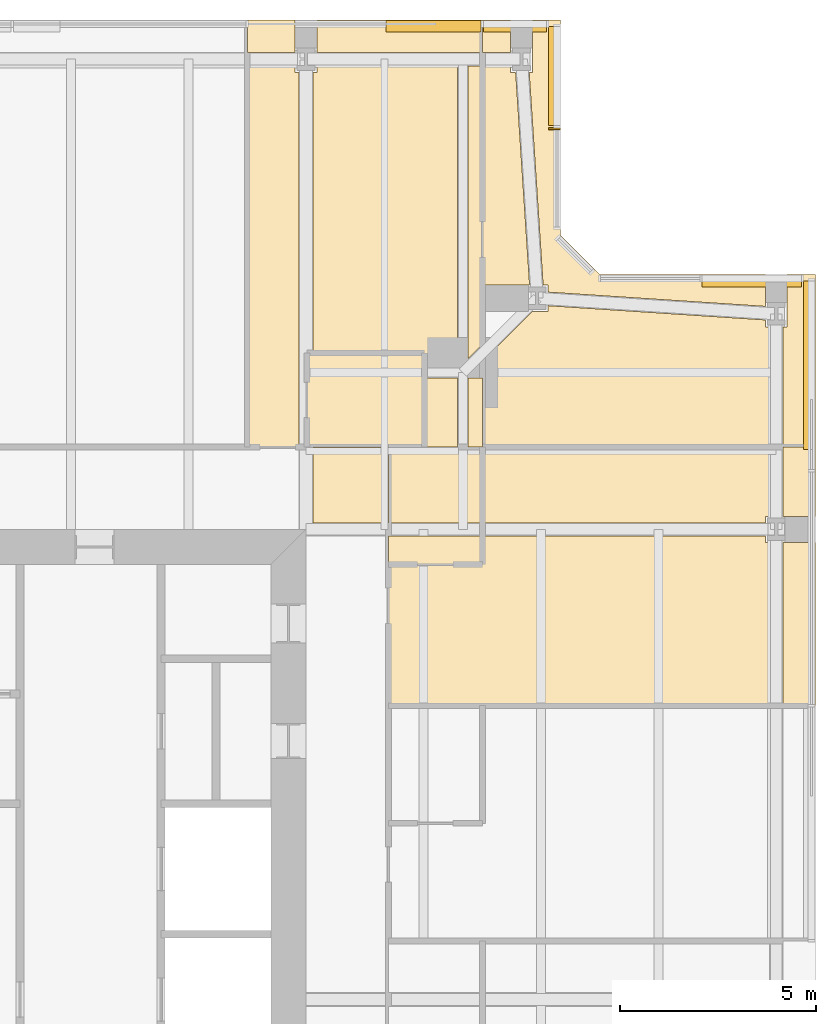
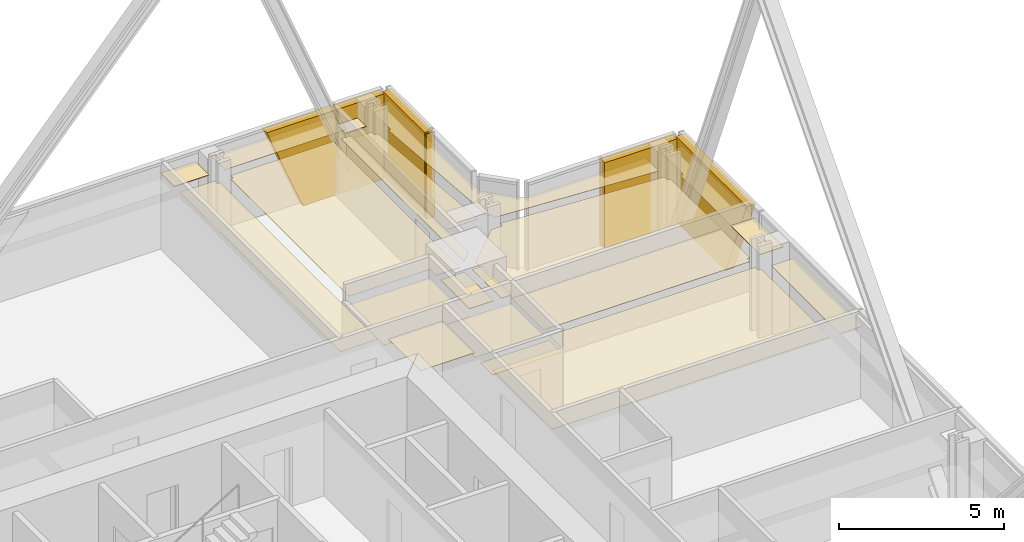
# One storey, part 20 of 20: 26 coverings.
"""IFC4 building model written with IfcOpenShell, lengths in metres."""

import ifcopenshell
import ifcopenshell.guid

model = None  # the IFC model being written
_history = None  # IfcOwnerHistory: only IFC2X3 demands one
_inside = {}  # id of a spatial element -> (the spatial element, [elements in it])
_under = {}  # id of a project, library or spatial element -> (it, [spatial elements below it])
_declared = {}  # id of a project -> (the project, [libraries it declares])
_typed = {}  # id of a type object -> (the type object, [elements of that type])
_made_of = {}  # id of a material, layer set ... -> (it, [elements and type objects made of it])


def new_model(schema):
    """Start an empty IFC model of exactly this schema.

    Asked for "IFC4X3", IfcOpenShell would pick the latest addendum, in which some entities
    have other attributes; the version numbers below select the first issue.
    IFC2X3 requires an IfcOwnerHistory on every rooted entity: one is made here for all.
    """
    global model, _history
    if schema == "IFC4X3":
        model = ifcopenshell.file(schema_version=(4, 3, 0, 0))
    else:
        model = ifcopenshell.file(schema=schema)
    _inside.clear()
    _under.clear()
    _declared.clear()
    _typed.clear()
    _made_of.clear()
    _history = None
    if model.schema == "IFC2X3":
        org = make("IfcOrganization", Name="unknown")
        user = make(
            "IfcPersonAndOrganization",
            ThePerson=make("IfcPerson", FamilyName="unknown"),
            TheOrganization=org,
        )
        app = make(
            "IfcApplication",
            ApplicationDeveloper=org,
            Version="unknown",
            ApplicationFullName="unknown",
            ApplicationIdentifier="unknown",
        )
        _history = make(
            "IfcOwnerHistory",
            OwningUser=user,
            OwningApplication=app,
            ChangeAction="ADDED",
            CreationDate=0,
        )
    return model


def make(cls, **values):
    """One entity of the class cls with the attributes given. An attribute that is None is left unset."""
    return model.create_entity(
        cls, **{name: value for name, value in values.items() if value is not None}
    )


def rooted(cls, **values):
    """An entity with a GlobalId (a new one), such as an element, a storey or a relation."""
    return make(cls, GlobalId=ifcopenshell.guid.new(), OwnerHistory=_history, **values)


def si_unit(unit_type, name, prefix=None):
    """IfcSIUnit, for example si_unit("LENGTHUNIT", "METRE", prefix="MILLI")."""
    return make("IfcSIUnit", UnitType=unit_type, Prefix=prefix, Name=name)


def assignment(units):
    """IfcUnitAssignment: the units of a project."""
    return None if units is None else make("IfcUnitAssignment", Units=units)


def point(xyz):
    """IfcCartesianPoint."""
    return None if xyz is None else make("IfcCartesianPoint", Coordinates=xyz)


def direction(xyz):
    """IfcDirection."""
    return None if xyz is None else make("IfcDirection", DirectionRatios=xyz)


def frame(location, z_axis=None, x_axis=None):
    """IfcAxis2Placement3D, a coordinate frame: its origin and axes. An axis left out is left unset."""
    return make(
        "IfcAxis2Placement3D",
        Location=point(location),
        Axis=direction(z_axis),
        RefDirection=direction(x_axis),
    )


def origin():
    """The frame at (0, 0, 0) with its axes left unset."""
    return frame((0.0, 0.0, 0.0))


def place(relative_to, where):
    """IfcLocalPlacement: puts the frame where relative to a parent placement (None: the world)."""
    return make(
        "IfcLocalPlacement", PlacementRelTo=relative_to, RelativePlacement=where
    )


def context(
    kind, dimensions, precision=None, world=None, true_north=None, identifier=None
):
    """IfcGeometricRepresentationContext, for example the 3D "Model" context."""
    return make(
        "IfcGeometricRepresentationContext",
        ContextIdentifier=identifier,
        ContextType=kind,
        CoordinateSpaceDimension=dimensions,
        Precision=precision,
        WorldCoordinateSystem=world,
        TrueNorth=true_north,
    )


def subcontext(parent, identifier, kind, view, scale=None):
    """IfcGeometricRepresentationSubContext, for example "Body" below "Model"."""
    return make(
        "IfcGeometricRepresentationSubContext",
        ContextIdentifier=identifier,
        ContextType=kind,
        ParentContext=parent,
        TargetScale=scale,
        TargetView=view,
    )


def project(units=None, contexts=None):
    """IfcProject with its units and contexts."""
    return rooted(
        "IfcProject",
        Name="project",
        RepresentationContexts=contexts,
        UnitsInContext=assignment(units),
    )


def spatial(cls, under=None, at=None, **own):
    """A site, building, storey or space (cls), placed at a placement, below another one or the project."""
    s = rooted(cls, ObjectPlacement=at, **own)
    if under is not None:
        _under.setdefault(under.id(), (under, []))[1].append(s)
    return s


def polyline(points):
    """IfcPolyline through the points."""
    return make("IfcPolyline", Points=[point(p) for p in points])


def outline(outer, holes=None, kind="AREA"):
    """IfcArbitraryClosedProfileDef: a profile drawn as a closed curve; with holes, ...WithVoids."""
    if holes is None:
        return make("IfcArbitraryClosedProfileDef", ProfileType=kind, OuterCurve=outer)
    return make(
        "IfcArbitraryProfileDefWithVoids",
        ProfileType=kind,
        OuterCurve=outer,
        InnerCurves=holes,
    )


def extrude(swept, where, along, depth):
    """IfcExtrudedAreaSolid: the profile swept, set in the frame where, extruded along a direction by depth."""
    return make(
        "IfcExtrudedAreaSolid",
        SweptArea=swept,
        Position=where,
        ExtrudedDirection=direction(along),
        Depth=depth,
    )


def shape(context_of_items, identifier, shape_type, items):
    """IfcShapeRepresentation: the items that make up one representation, for example the "Body"."""
    return make(
        "IfcShapeRepresentation",
        ContextOfItems=context_of_items,
        RepresentationIdentifier=identifier,
        RepresentationType=shape_type,
        Items=items,
    )


def material(Name=None, Category=None):
    """IfcMaterial."""
    return make("IfcMaterial", Name=Name, Category=Category)


def layer(
    of_material, thickness, ventilated=None, Name=None, Category=None, Priority=None
):
    """IfcMaterialLayer: one layer of a wall or slab, of a material (None: an air gap)."""
    return make(
        "IfcMaterialLayer",
        Material=of_material,
        LayerThickness=thickness,
        IsVentilated=ventilated,
        Name=Name,
        Category=Category,
        Priority=Priority,
    )


def layer_set(layers, Name=None):
    """IfcMaterialLayerSet."""
    return make("IfcMaterialLayerSet", MaterialLayers=layers, LayerSetName=Name)


def made_of(thing, what):
    """Note that an element or type object is made of a material, layer set ...; save() writes the relation."""
    if what is not None:
        _made_of.setdefault(what.id(), (what, []))[1].append(thing)
    return thing


def type_object(cls, material=None, **own):
    """A type object (cls), such as IfcWallType, which elements share."""
    return made_of(rooted(cls, **own), material)


def element(
    cls,
    number,
    at=None,
    inside=None,
    cuts=None,
    type_object=None,
    material=None,
    context=None,
    identifier="Body",
    shape_type=None,
    held_by="IfcProductDefinitionShape",
    body=None,
    shapes=None,
    **own,
):
    """One element of the class cls, such as IfcWall. Its Tag is "e" and its number.

    at: its placement. inside: the storey or other place that contains it. cuts: it is an
    opening in that element (IfcRelVoidsElement). A single representation is given by context,
    identifier, shape_type and body (its items); several are given by shapes. held_by: the class
    of the entity that holds the representations. save() writes the other relations.
    """
    e = rooted(cls, Tag="e%d" % number, ObjectPlacement=at, **own)
    if body is not None:
        shapes = [shape(context, identifier, shape_type, body)]
    if shapes is not None:
        e.Representation = make(held_by, Representations=shapes)
    if inside is not None:
        _inside.setdefault(inside.id(), (inside, []))[1].append(e)
    if cuts is not None:
        rooted(
            "IfcRelVoidsElement", RelatingBuildingElement=cuts, RelatedOpeningElement=e
        )
    if type_object is not None:
        _typed.setdefault(type_object.id(), (type_object, []))[1].append(e)
    return made_of(e, material)


def aggregate(whole, parts):
    """IfcRelAggregates: a whole, such as a stair, and the parts it consists of."""
    return rooted("IfcRelAggregates", RelatingObject=whole, RelatedObjects=parts)


def save(model, path):
    """Write the relations noted so far, then the file.

    IfcRelAggregates (storeys below a building ...), IfcRelContainedInSpatialStructure (elements
    in a storey), IfcRelDefinesByType, IfcRelAssociatesMaterial and IfcRelDeclares: one each for
    every whole, place, type object, material and project.
    """
    for whole, parts in _under.values():
        aggregate(whole, parts)
    for where, things in _inside.values():
        rooted(
            "IfcRelContainedInSpatialStructure",
            RelatedElements=things,
            RelatingStructure=where,
        )
    for kind, things in _typed.values():
        rooted("IfcRelDefinesByType", RelatedObjects=things, RelatingType=kind)
    for what, things in _made_of.values():
        rooted("IfcRelAssociatesMaterial", RelatedObjects=things, RelatingMaterial=what)
    for by, libraries in _declared.values():
        rooted("IfcRelDeclares", RelatingContext=by, RelatedDefinitions=libraries)
    model.write(path)


model = new_model("IFC4")

# Units and contexts
model_context = context("Model", 3, precision=1e-05, world=origin(), true_north=direction((0.0, 1.0)))
body_context = subcontext(model_context, "Body", "Model", "MODEL_VIEW")
ifc_project = project(units=[si_unit("LENGTHUNIT", "METRE"), si_unit("AREAUNIT", "SQUARE_METRE"), si_unit("VOLUMEUNIT", "CUBIC_METRE"), si_unit("PLANEANGLEUNIT", "RADIAN"), si_unit("MASSUNIT", "GRAM", prefix="KILO")], contexts=[model_context])

# Site, building, storey
site_placement = place(None, origin())
site = spatial("IfcSite", under=ifc_project, at=site_placement, CompositionType="ELEMENT")
building_placement = place(site_placement, origin())
building = spatial("IfcBuilding", under=site, at=building_placement, Name="Fenwick Lantern Interchange", CompositionType="ELEMENT")
storey_placement = place(building_placement, frame((0.0, 0.0, 256.0)))
storey = spatial("IfcBuildingStorey", under=building, at=storey_placement, Name="L60", CompositionType="ELEMENT", Elevation=256.0)

# Coverings
ifc_material_1 = material(Name="Granite cladding, warm grey flamed finish, on aluminium carrier frame", Category="masonry")
ifc_layer_1 = layer(ifc_material_1, 0.300048828125)
ifc_layer_set_1 = layer_set([ifc_layer_1], Name="BRACE CASING PANEL 300")
covering_type_1 = type_object("IfcCoveringType", Name="BRACE CASING PANEL 300", PredefinedType="CLADDING", material=ifc_layer_set_1)
covering_1_placement = place(storey_placement, frame((49.89990234375, 6.60009765625, 0.0), z_axis=(0.0, 0.0, 1.0), x_axis=(0.0, 1.0, 0.0)))
element("IfcCovering", 1, at=covering_1_placement, inside=storey, type_object=covering_type_1, Name="Brace casing 05 bay 06a", PredefinedType="CLADDING", context=body_context, shape_type="SweptSolid", body=[
    extrude(outline(polyline([(33.71337890625, 0.0), (36.739990234375, 0.0), (36.739990234375, 3.14990234375), (32.439453125, 3.14990234375), (33.71337890625, 0.0)])), frame((0.0, 0.2099609375, 0.0), z_axis=(0.0, -1.0, 0.0), x_axis=(1.0, 0.0, 0.0)), (0.0, 0.0, 1.0), 0.300048828125),
])
covering_2_placement = place(storey_placement, frame((49.89990234375, 43.39990234375, 0.0), z_axis=(0.0, 0.0, 1.0), x_axis=(-1.0, 0.0, 0.0)))
element("IfcCovering", 2, at=covering_2_placement, inside=storey, type_object=covering_type_1, Name="Brace casing 06 bay 00a", PredefinedType="CLADDING", context=body_context, shape_type="SweptSolid", body=[
    extrude(outline(polyline([(0.260009765625, 0.0), (2.790771484375, 0.0), (2.790771484375, 3.14990234375), (0.260009765625, 3.14990234375), (0.260009765625, 0.0)])), frame((0.0, 0.2099609375, 0.0), z_axis=(0.0, -1.0, 0.0), x_axis=(1.0, 0.0, 0.0)), (0.0, 0.0, 1.0), 0.300048828125),
])
covering_3_placement = place(storey_placement, frame((43.39990234375, 44.45849609375, 0.0), z_axis=(0.0, 0.0, 1.0), x_axis=(0.0, 1.0, 0.0)))
element("IfcCovering", 3, at=covering_3_placement, inside=storey, type_object=covering_type_1, Name="Brace casing 08 bay 00a", PredefinedType="CLADDING", context=body_context, shape_type="SweptSolid", body=[
    extrude(outline(polyline([(2.741455078125, 0.0), (2.790771484375, 0.0), (2.790771484375, 3.14990234375), (2.741455078125, 3.14990234375), (2.741455078125, 0.0)])), frame((0.0, 0.2099609375, 0.0), z_axis=(0.0, -1.0, 0.0), x_axis=(1.0, 0.0, 0.0)), (0.0, 0.0, 1.0), 0.300048828125),
])
covering_4_placement = place(storey_placement, frame((43.39990234375, 44.45849609375, 0.0), z_axis=(0.0, 0.0, 1.0), x_axis=(0.0, 1.0, 0.0)))
element("IfcCovering", 4, at=covering_4_placement, inside=storey, type_object=covering_type_1, Name="Brace casing 08 bay 01a", PredefinedType="CLADDING", context=body_context, shape_type="SweptSolid", body=[
    extrude(outline(polyline([(2.850830078125, 0.0), (5.38134765625, 0.0), (5.38134765625, 3.14990234375), (2.850830078125, 3.14990234375), (2.850830078125, 0.0)])), frame((0.0, 0.2099609375, 0.0), z_axis=(0.0, -1.0, 0.0), x_axis=(1.0, 0.0, 0.0)), (0.0, 0.0, 1.0), 0.300048828125),
])
covering_5_placement = place(storey_placement, frame((43.39990234375, 49.89990234375, 0.0), z_axis=(0.0, 0.0, 1.0), x_axis=(-1.0, 0.0, 0.0)))
element("IfcCovering", 5, at=covering_5_placement, inside=storey, type_object=covering_type_1, Name="Brace casing 09 bay 00a", PredefinedType="CLADDING", context=body_context, shape_type="SweptSolid", body=[
    extrude(outline(polyline([(0.260009765625, 0.0), (1.8701171875, 0.0), (1.8701171875, 3.14990234375), (0.260009765625, 3.14990234375), (0.260009765625, 0.0)])), frame((0.0, 0.2099609375, 0.0), z_axis=(0.0, -1.0, 0.0), x_axis=(1.0, 0.0, 0.0)), (0.0, 0.0, 1.0), 0.300048828125),
])
covering_6_placement = place(storey_placement, frame((43.39990234375, 49.89990234375, 0.0), z_axis=(0.0, 0.0, 1.0), x_axis=(-1.0, 0.0, 0.0)))
element("IfcCovering", 6, at=covering_6_placement, inside=storey, type_object=covering_type_1, Name="Brace casing 09 bay 01a", PredefinedType="CLADDING", context=body_context, shape_type="SweptSolid", body=[
    extrude(outline(polyline([(1.929931640625, 0.0), (3.086669921875, 0.0), (4.360595703125, 3.14990234375), (1.929931640625, 3.14990234375), (1.929931640625, 0.0)])), frame((0.0, 0.2099609375, 0.0), z_axis=(0.0, -1.0, 0.0), x_axis=(1.0, 0.0, 0.0)), (0.0, 0.0, 1.0), 0.300048828125),
])
ifc_material_2 = material(Name="Moisture resistant gypsum board on suspended frame, painted")
ifc_layer_2 = layer(ifc_material_2, 0.014892578125)
ifc_layer_set_2 = layer_set([ifc_layer_2], Name="MOISTURE RESISTANT CEILING 15")
covering_type_2 = type_object("IfcCoveringType", Name="MOISTURE RESISTANT CEILING 15", PredefinedType="CEILING", material=ifc_layer_set_2)
covering_7_placement = place(storey_placement, frame((0.0, 0.0, 2.39990234375)))
element("IfcCovering", 7, at=covering_7_placement, inside=storey, type_object=covering_type_2, Name="En-suite 6008 ceiling", PredefinedType="CEILING", context=body_context, shape_type="SweptSolid", body=[
    extrude(outline(polyline([(39.10009765625, 39.10009765625), (39.10009765625, 37.166015625), (41.5, 37.166015625), (41.5, 39.10009765625), (39.10009765625, 39.10009765625)])), origin(), (0.0, 0.0, 1.0), 0.01513671875),
])
covering_8_placement = place(storey_placement, frame((0.0, 0.0, 2.39990234375)))
element("IfcCovering", 8, at=covering_8_placement, inside=storey, type_object=covering_type_2, Name="En-suite 6008 ceiling", PredefinedType="CEILING", context=body_context, shape_type="SweptSolid", body=[
    extrude(outline(polyline([(41.5, 36.10009765625), (41.5, 36.833984375), (39.10009765625, 36.833984375), (39.10009765625, 36.10009765625), (41.5, 36.10009765625)])), origin(), (0.0, 0.0, 1.0), 0.01513671875),
])
covering_9_placement = place(storey_placement, frame((0.0, 0.0, 2.39990234375)))
element("IfcCovering", 9, at=covering_9_placement, inside=storey, type_object=covering_type_2, Name="En-suite 6009 ceiling", PredefinedType="CEILING", context=body_context, shape_type="SweptSolid", body=[
    extrude(outline(polyline([(40.02490234375, 41.5), (37.02490234375, 41.5), (37.02490234375, 39.10009765625), (40.02490234375, 39.10009765625), (40.02490234375, 41.5)])), origin(), (0.0, 0.0, 1.0), 0.01513671875),
])
ifc_material_3 = material(Name="Gypsum plasterboard on suspended frame, painted")
ifc_layer_3 = layer(ifc_material_3, 0.014892578125)
ifc_layer_set_3 = layer_set([ifc_layer_3], Name="PLASTERBOARD CEILING 15")
covering_type_3 = type_object("IfcCoveringType", Name="PLASTERBOARD CEILING 15", PredefinedType="CEILING", material=ifc_layer_set_3)
covering_10_placement = place(storey_placement, frame((0.0, 0.0, 2.57275390625)))
element("IfcCovering", 10, at=covering_10_placement, inside=storey, type_object=covering_type_3, Name="Corridor ceiling", PredefinedType="CEILING", context=body_context, shape_type="SweptSolid", body=[
    extrude(outline(polyline([(39.10009765625, 39.10009765625), (37.183837890625, 39.10009765625), (37.183837890625, 37.166015625), (39.10009765625, 37.166015625), (39.10009765625, 39.10009765625)])), origin(), (0.0, 0.0, 1.0), 0.01513671875),
])
covering_11_placement = place(storey_placement, frame((0.0, 0.0, 2.57275390625)))
element("IfcCovering", 11, at=covering_11_placement, inside=storey, type_object=covering_type_3, Name="Guest room 6008 ceiling", PredefinedType="CEILING", context=body_context, shape_type="SweptSolid", body=[
    extrude(outline(polyline([(48.72265625, 36.66552734375), (48.72265625, 36.833984375), (41.5, 36.833984375), (41.5, 36.10009765625), (39.10009765625, 36.10009765625), (39.10009765625, 32.5), (48.82763671875, 32.5), (48.82763671875, 36.66552734375), (48.72265625, 36.66552734375)])), origin(), (0.0, 0.0, 1.0), 0.01513671875),
])
covering_12_placement = place(storey_placement, frame((0.0, 0.0, 2.57275390625)))
element("IfcCovering", 12, at=covering_12_placement, inside=storey, type_object=covering_type_3, Name="Guest room 6008 ceiling", PredefinedType="CEILING", context=body_context, shape_type="SweptSolid", body=[
    extrude(outline(polyline([(48.72265625, 37.33447265625), (48.82763671875, 37.33447265625), (48.82763671875, 39.10009765625), (41.5, 39.10009765625), (41.5, 37.166015625), (48.72265625, 37.166015625), (48.72265625, 37.33447265625)])), origin(), (0.0, 0.0, 1.0), 0.01513671875),
])
covering_13_placement = place(storey_placement, frame((0.0, 0.0, 2.57275390625)))
element("IfcCovering", 13, at=covering_13_placement, inside=storey, type_object=covering_type_3, Name="Guest room 6008 ceiling", PredefinedType="CEILING", context=body_context, shape_type="SweptSolid", body=[
    extrude(outline(polyline([(50.0, 36.66552734375), (49.17236328125, 36.66552734375), (49.17236328125, 32.5), (50.0, 32.5), (50.0, 36.66552734375)])), origin(), (0.0, 0.0, 1.0), 0.01513671875),
])
covering_14_placement = place(storey_placement, frame((0.0, 0.0, 2.57275390625)))
element("IfcCovering", 14, at=covering_14_placement, inside=storey, type_object=covering_type_3, Name="Guest room 6008 ceiling", PredefinedType="CEILING", context=body_context, shape_type="SweptSolid", body=[
    extrude(outline(polyline([(49.17236328125, 37.33447265625), (50.0, 37.33447265625), (50.0, 39.10009765625), (49.17236328125, 39.10009765625), (49.17236328125, 37.33447265625)])), origin(), (0.0, 0.0, 1.0), 0.01513671875),
])
covering_15_placement = place(storey_placement, frame((0.0, 0.0, 2.57275390625)))
element("IfcCovering", 15, at=covering_15_placement, inside=storey, type_object=covering_type_3, Name="Guest suite 6009 sitting room ceiling", PredefinedType="CEILING", context=body_context, shape_type="SweptSolid", body=[
    extrude(outline(polyline([(48.82763671875, 42.16552734375), (48.72265625, 42.16552734375), (48.72265625, 42.345458984375), (43.17724609375, 42.708984375), (43.17724609375, 42.5654296875), (42.782470703125, 42.5654296875), (41.5, 41.283203125), (41.5, 39.10009765625), (48.82763671875, 39.10009765625), (48.82763671875, 42.16552734375)])), origin(), (0.0, 0.0, 1.0), 0.01513671875),
])
covering_16_placement = place(storey_placement, frame((0.0, 0.0, 2.57275390625)))
element("IfcCovering", 16, at=covering_16_placement, inside=storey, type_object=covering_type_3, Name="Guest suite 6009 sitting room ceiling", PredefinedType="CEILING", context=body_context, shape_type="SweptSolid", body=[
    extrude(outline(polyline([(43.17724609375, 43.234375), (43.17724609375, 43.0546875), (48.72265625, 42.69091796875), (48.72265625, 43.5), (44.5, 43.5), (43.5, 44.5), (43.5, 50.0), (42.77734375, 50.0), (42.77734375, 48.66552734375), (42.69482421875, 48.66552734375), (43.05078125, 43.234375), (43.17724609375, 43.234375)])), origin(), (0.0, 0.0, 1.0), 0.01513671875),
])
covering_17_placement = place(storey_placement, frame((0.0, 0.0, 2.57275390625)))
element("IfcCovering", 17, at=covering_17_placement, inside=storey, type_object=covering_type_3, Name="Guest suite 6009 sitting room ceiling", PredefinedType="CEILING", context=body_context, shape_type="SweptSolid", body=[
    extrude(outline(polyline([(41.5, 43.234375), (42.705322265625, 43.234375), (42.34912109375, 48.66552734375), (42.22265625, 48.66552734375), (42.22265625, 48.82763671875), (41.5, 48.82763671875), (41.5, 43.234375)])), origin(), (0.0, 0.0, 1.0), 0.01513671875),
])
covering_18_placement = place(storey_placement, frame((0.0, 0.0, 2.57275390625)))
element("IfcCovering", 18, at=covering_18_placement, inside=storey, type_object=covering_type_3, Name="Guest suite 6009 sitting room ceiling", PredefinedType="CEILING", context=body_context, shape_type="SweptSolid", body=[
    extrude(outline(polyline([(49.27734375, 42.16552734375), (49.17236328125, 42.16552734375), (49.17236328125, 39.10009765625), (50.0, 39.10009765625), (50.0, 43.5), (49.27734375, 43.5), (49.27734375, 42.16552734375)])), origin(), (0.0, 0.0, 1.0), 0.01513671875),
])
covering_19_placement = place(storey_placement, frame((0.0, 0.0, 2.57275390625)))
element("IfcCovering", 19, at=covering_19_placement, inside=storey, type_object=covering_type_3, Name="Guest suite 6009 sitting room ceiling", PredefinedType="CEILING", context=body_context, shape_type="SweptSolid", body=[
    extrude(outline(polyline([(41.5, 50.0), (41.5, 49.17236328125), (42.22265625, 49.17236328125), (42.22265625, 50.0), (41.5, 50.0)])), origin(), (0.0, 0.0, 1.0), 0.01513671875),
])
covering_20_placement = place(storey_placement, frame((0.0, 0.0, 2.699951171875)))
element("IfcCovering", 20, at=covering_20_placement, inside=storey, type_object=covering_type_3, Name="Guest suite 6009 bedroom ceiling", PredefinedType="CEILING", context=body_context, shape_type="SweptSolid", body=[
    extrude(outline(polyline([(37.27734375, 48.66552734375), (37.183837890625, 48.66552734375), (37.183837890625, 41.5), (40.02490234375, 41.5), (40.02490234375, 41.134521484375), (40.865478515625, 41.134521484375), (40.865478515625, 48.82763671875), (37.27734375, 48.82763671875), (37.27734375, 48.66552734375)])), origin(), (0.0, 0.0, 1.0), 0.01513671875),
])
covering_21_placement = place(storey_placement, frame((0.0, 0.0, 2.699951171875)))
element("IfcCovering", 21, at=covering_21_placement, inside=storey, type_object=covering_type_3, Name="Guest suite 6009 bedroom ceiling", PredefinedType="CEILING", context=body_context, shape_type="SweptSolid", body=[
    extrude(outline(polyline([(36.72265625, 48.66552734375), (36.72265625, 48.82763671875), (35.5, 48.82763671875), (35.5, 39.10009765625), (36.816162109375, 39.10009765625), (36.816162109375, 48.66552734375), (36.72265625, 48.66552734375)])), origin(), (0.0, 0.0, 1.0), 0.01513671875),
])
covering_22_placement = place(storey_placement, frame((0.0, 0.0, 2.699951171875)))
element("IfcCovering", 22, at=covering_22_placement, inside=storey, type_object=covering_type_3, Name="Guest suite 6009 bedroom ceiling", PredefinedType="CEILING", context=body_context, shape_type="SweptSolid", body=[
    extrude(outline(polyline([(37.27734375, 50.0), (37.27734375, 49.17236328125), (41.5, 49.17236328125), (41.5, 50.0), (37.27734375, 50.0)])), origin(), (0.0, 0.0, 1.0), 0.01513671875),
])
covering_23_placement = place(storey_placement, frame((0.0, 0.0, 2.699951171875)))
element("IfcCovering", 23, at=covering_23_placement, inside=storey, type_object=covering_type_3, Name="Guest suite 6009 bedroom ceiling", PredefinedType="CEILING", context=body_context, shape_type="SweptSolid", body=[
    extrude(outline(polyline([(41.5, 41.716796875), (41.5, 48.82763671875), (41.134521484375, 48.82763671875), (41.134521484375, 41.351318359375), (41.5, 41.716796875)])), origin(), (0.0, 0.0, 1.0), 0.01513671875),
])
covering_24_placement = place(storey_placement, frame((0.0, 0.0, 2.699951171875)))
element("IfcCovering", 24, at=covering_24_placement, inside=storey, type_object=covering_type_3, Name="Guest suite 6009 bedroom ceiling", PredefinedType="CEILING", context=body_context, shape_type="SweptSolid", body=[
    extrude(outline(polyline([(40.02490234375, 39.10009765625), (40.865478515625, 39.10009765625), (40.865478515625, 40.865478515625), (40.02490234375, 40.865478515625), (40.02490234375, 39.10009765625)])), origin(), (0.0, 0.0, 1.0), 0.01513671875),
])
covering_25_placement = place(storey_placement, frame((0.0, 0.0, 2.699951171875)))
element("IfcCovering", 25, at=covering_25_placement, inside=storey, type_object=covering_type_3, Name="Guest suite 6009 bedroom ceiling", PredefinedType="CEILING", context=body_context, shape_type="SweptSolid", body=[
    extrude(outline(polyline([(36.72265625, 50.0), (35.5, 50.0), (35.5, 49.17236328125), (36.72265625, 49.17236328125), (36.72265625, 50.0)])), origin(), (0.0, 0.0, 1.0), 0.01513671875),
])
covering_26_placement = place(storey_placement, frame((0.0, 0.0, 2.699951171875)))
element("IfcCovering", 26, at=covering_26_placement, inside=storey, type_object=covering_type_3, Name="Guest suite 6009 bedroom ceiling", PredefinedType="CEILING", context=body_context, shape_type="SweptSolid", body=[
    extrude(outline(polyline([(41.5, 39.10009765625), (41.5, 40.865478515625), (41.134521484375, 40.865478515625), (41.134521484375, 39.10009765625), (41.5, 39.10009765625)])), origin(), (0.0, 0.0, 1.0), 0.01513671875),
])

save(model, "model.ifc")
